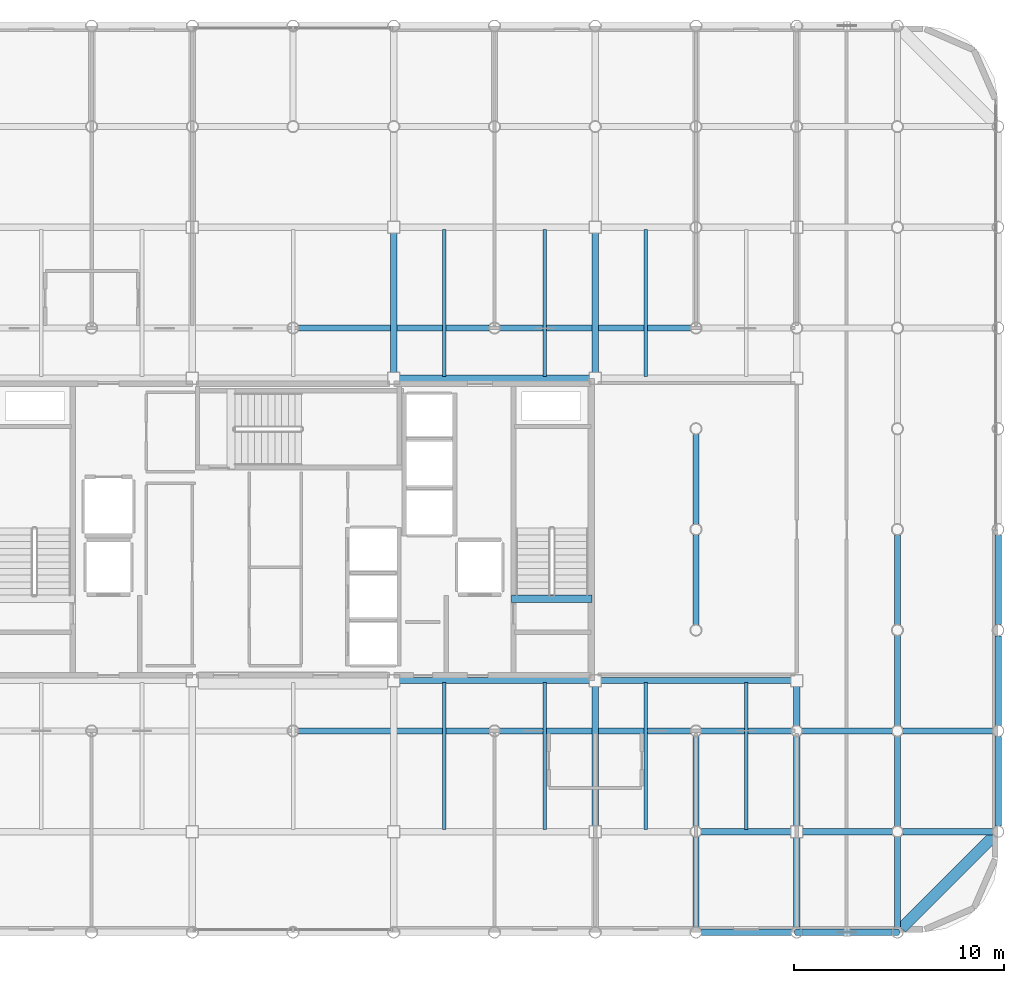
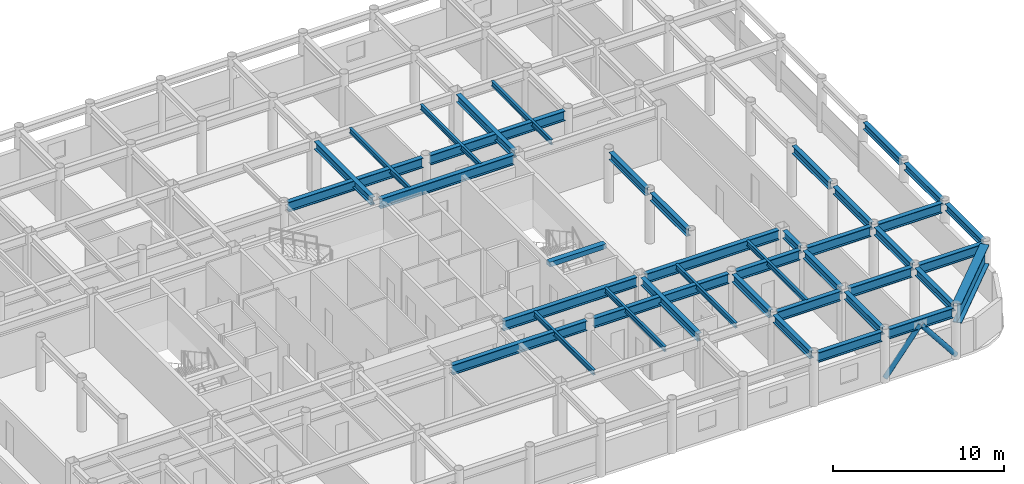
# One storey, part 9 of 22: 41 beams, 2 members.
"""IFC4 building model written with IfcOpenShell, lengths in metres."""

from ifc_helpers import new_model, si_unit, direction, frame, origin, origin_2d, place, context, subcontext, project, spatial, rectangle, hollow_circle, i_section, extrude, material, material_profile, profile_set, type_object, element, save


model = new_model("IFC4")

# Units and contexts
model_context = context("Model", 3, precision=1e-05, world=origin(), true_north=direction((0.0, 1.0)))
body_context = subcontext(model_context, "Body", "Model", "MODEL_VIEW")
ifc_project = project(units=[si_unit("LENGTHUNIT", "METRE"), si_unit("AREAUNIT", "SQUARE_METRE"), si_unit("VOLUMEUNIT", "CUBIC_METRE"), si_unit("PLANEANGLEUNIT", "RADIAN"), si_unit("MASSUNIT", "GRAM", prefix="KILO")], contexts=[model_context])

# Site, building, storey
site_placement = place(None, origin())
site = spatial("IfcSite", under=ifc_project, at=site_placement, CompositionType="ELEMENT")
building_placement = place(site_placement, origin())
building = spatial("IfcBuilding", under=site, at=building_placement, Name="Kallvorn Hotel Tower", CompositionType="ELEMENT")
storey_placement = place(building_placement, frame((0.0, 0.0, 226.14990234375)))
storey = spatial("IfcBuildingStorey", under=building, at=storey_placement, Name="L56", CompositionType="ELEMENT", Elevation=226.14990234375)

# Beams
ifc_material_1 = material(Name="Structural steel S355JR", Category="steel")
ifc_material_profile_1 = material_profile(ifc_material_1, i_section(OverallWidth=0.300048828125, OverallDepth=0.5, WebThickness=0.014404296875, FlangeThickness=0.028076171875, at=origin_2d()), Name="HE 500 B")
ifc_profile_set_1 = profile_set([ifc_material_profile_1], Name="Structural steel S355JR")
beam_type_1 = type_object("IfcBeamType", Name="BM_HE500B", PredefinedType="SPANDREL", material=ifc_profile_set_1)
beam_1_placement = place(storey_placement, frame((33.60009765625, -14.130615234375, 3.420166015625), z_axis=(0.0, 1.0, 0.0), x_axis=(-1.0, 0.0, 0.0)))
element("IfcBeam", 1, at=beam_1_placement, inside=storey, type_object=beam_type_1, Name="L57 Perimeter Spandrel 182", PredefinedType="SPANDREL", context=body_context, shape_type="SweptSolid", body=[
    extrude(i_section(OverallWidth=0.300048828125, OverallDepth=0.5, WebThickness=0.014404296875, FlangeThickness=0.028076171875, at=origin_2d()), origin(), (0.0, 0.0, 1.0), 4.26123046875),
])
for number, where, z_axis, x_axis, name in (
    (2, (33.60009765625, -9.33056640625, 3.420166015625), (0.0, 1.0, 0.0), (-1.0, 0.0, 0.0), "L57 Perimeter Spandrel 183"),
    (3, (33.60009765625, -4.530517578125, 3.420166015625), (0.0, 1.0, 0.0), (-1.0, 0.0, 0.0), "L57 Perimeter Spandrel 184"),
):
    element("IfcBeam", number, at=place(storey_placement, frame(where, z_axis=z_axis, x_axis=x_axis)), inside=storey, type_object=beam_type_1, Name=name, PredefinedType="SPANDREL", context=body_context, shape_type="SweptSolid", body=[
        extrude(i_section(OverallWidth=0.300048828125, OverallDepth=0.5, WebThickness=0.014404296875, FlangeThickness=0.028076171875, at=origin_2d()), origin(), (0.0, 0.0, 1.0), 4.260986328125),
    ])
ifc_material_2 = material(Name="Structural steel S355JR", Category="steel")
ifc_material_profile_2 = material_profile(ifc_material_2, i_section(OverallWidth=0.300048828125, OverallDepth=0.550048828125, WebThickness=0.014892578125, FlangeThickness=0.029052734375, at=origin_2d()), Name="HE 550 B")
ifc_profile_set_2 = profile_set([ifc_material_profile_2], Name="Structural steel S355JR")
beam_type_2 = type_object("IfcBeamType", Name="BM_HE550B", PredefinedType="SPANDREL", material=ifc_profile_set_2)
for number, where, z_axis, x_axis, name in (
    (4, (4.800048828125, 7.47509765625, 3.39501953125), (0.0, 1.0, 0.0), (-1.0, 0.0, 0.0), "L57 Primary Y-Girder 115"),
    (5, (14.39990234375, -14.125, 3.39501953125), (0.0, 1.0, 0.0), (-1.0, 0.0, 0.0), "L57 Primary Y-Girder 122"),
    (6, (14.39990234375, 7.47509765625, 3.39501953125), (0.0, 1.0, 0.0), (-1.0, 0.0, 0.0), "L57 Primary Y-Girder 123"),
):
    element("IfcBeam", number, at=place(storey_placement, frame(where, z_axis=z_axis, x_axis=x_axis)), inside=storey, type_object=beam_type_2, Name=name, PredefinedType="SPANDREL", context=body_context, shape_type="SweptSolid", body=[
        extrude(i_section(OverallWidth=0.300048828125, OverallDepth=0.550048828125, WebThickness=0.014892578125, FlangeThickness=0.029052734375, at=origin_2d()), origin(), (0.0, 0.0, 1.0), 6.64990234375),
    ])
for number, where, z_axis, x_axis, name in (
    (7, (19.199951171875, -18.945556640625, 3.39501953125), (0.0, 1.0, 0.0), (-1.0, 0.0, 0.0), "L57 Primary Y-Girder 126"),
    (8, (19.199951171875, -14.1455078125, 3.39501953125), (0.0, 1.0, 0.0), (-1.0, 0.0, 0.0), "L57 Primary Y-Girder 127"),
    (9, (19.199951171875, -4.54541015625, 3.39501953125), (0.0, 1.0, 0.0), (-1.0, 0.0, 0.0), "L57 Primary Y-Girder 129"),
    (10, (19.199951171875, 0.25439453125, 3.39501953125), (0.0, 1.0, 0.0), (-1.0, 0.0, 0.0), "L57 Primary Y-Girder 130"),
):
    element("IfcBeam", number, at=place(storey_placement, frame(where, z_axis=z_axis, x_axis=x_axis)), inside=storey, type_object=beam_type_2, Name=name, PredefinedType="SPANDREL", context=body_context, shape_type="SweptSolid", body=[
        extrude(i_section(OverallWidth=0.300048828125, OverallDepth=0.550048828125, WebThickness=0.014892578125, FlangeThickness=0.029052734375, at=origin_2d()), origin(), (0.0, 0.0, 1.0), 4.291015625),
    ])
for number, where, z_axis, x_axis, name in (
    (11, (24.0, -18.945556640625, 3.39501953125), (0.0, 1.0, 0.0), (-1.0, 0.0, 0.0), "L57 Primary Y-Girder 135"),
    (12, (24.0, -14.125, 3.39501953125), (0.0, 1.0, 0.0), (-1.0, 0.0, 0.0), "L57 Primary Y-Girder 136"),
):
    element("IfcBeam", number, at=place(storey_placement, frame(where, z_axis=z_axis, x_axis=x_axis)), inside=storey, type_object=beam_type_2, Name=name, PredefinedType="SPANDREL", context=body_context, shape_type="SweptSolid", body=[
        extrude(i_section(OverallWidth=0.300048828125, OverallDepth=0.550048828125, WebThickness=0.014892578125, FlangeThickness=0.029052734375, at=origin_2d()), origin(), (0.0, 0.0, 1.0), 4.2705078125),
    ])
beam_2_placement = place(storey_placement, frame((24.0, -9.345458984375, 3.39501953125), z_axis=(0.0, 1.0, 0.0), x_axis=(-1.0, 0.0, 0.0)))
element("IfcBeam", 13, at=beam_2_placement, inside=storey, type_object=beam_type_2, Name="L57 Primary Y-Girder 137", PredefinedType="SPANDREL", context=body_context, shape_type="SweptSolid", body=[
    extrude(i_section(OverallWidth=0.300048828125, OverallDepth=0.550048828125, WebThickness=0.014892578125, FlangeThickness=0.029052734375, at=origin_2d()), origin(), (0.0, 0.0, 1.0), 1.870361328125),
])
for number, where, z_axis, x_axis, name in (
    (14, (28.800048828125, -18.945556640625, 3.39501953125), (0.0, 1.0, 0.0), (-1.0, 0.0, 0.0), "L57 Primary Y-Girder 142"),
    (15, (28.800048828125, -14.1455078125, 3.39501953125), (0.0, 1.0, 0.0), (-1.0, 0.0, 0.0), "L57 Primary Y-Girder 143"),
    (16, (28.800048828125, -9.345458984375, 3.39501953125), (0.0, 1.0, 0.0), (-1.0, 0.0, 0.0), "L57 Primary Y-Girder 144"),
    (17, (28.800048828125, -4.54541015625, 3.39501953125), (0.0, 1.0, 0.0), (-1.0, 0.0, 0.0), "L57 Primary Y-Girder 145"),
):
    element("IfcBeam", number, at=place(storey_placement, frame(where, z_axis=z_axis, x_axis=x_axis)), inside=storey, type_object=beam_type_2, Name=name, PredefinedType="SPANDREL", context=body_context, shape_type="SweptSolid", body=[
        extrude(i_section(OverallWidth=0.300048828125, OverallDepth=0.550048828125, WebThickness=0.014892578125, FlangeThickness=0.029052734375, at=origin_2d()), origin(), (0.0, 0.0, 1.0), 4.291015625),
    ])
ifc_material_3 = material(Name="Structural steel S355JR", Category="steel")
ifc_material_profile_3 = material_profile(ifc_material_3, i_section(OverallWidth=0.300048828125, OverallDepth=0.699951171875, WebThickness=0.01708984375, FlangeThickness=0.031982421875, at=origin_2d()), Name="HE 700 B")
ifc_profile_set_3 = profile_set([ifc_material_profile_3], Name="Structural steel S355JR")
beam_type_3 = type_object("IfcBeamType", Name="BM_HE700B", PredefinedType="BEAM", material=ifc_profile_set_3)
for number, where, z_axis, x_axis, name in (
    (18, (19.45458984375, -19.199951171875, 3.320068359375), (1.0, 0.0, 0.0), (0.0, 1.0, 0.0), "L57 Primary X-Girder 11"),
    (19, (24.25439453125, -19.199951171875, 3.320068359375), (1.0, 0.0, 0.0), (0.0, 1.0, 0.0), "L57 Primary X-Girder 12"),
):
    element("IfcBeam", number, at=place(storey_placement, frame(where, z_axis=z_axis, x_axis=x_axis)), inside=storey, type_object=beam_type_3, Name=name, PredefinedType="BEAM", context=body_context, shape_type="SweptSolid", body=[
        extrude(i_section(OverallWidth=0.300048828125, OverallDepth=0.699951171875, WebThickness=0.01708984375, FlangeThickness=0.031982421875, at=origin_2d()), origin(), (0.0, 0.0, 1.0), 4.291015625),
    ])
for number, where, z_axis, x_axis, name in (
    (20, (19.45458984375, -14.39990234375, 3.320068359375), (1.0, 0.0, 0.0), (0.0, 1.0, 0.0), "L57 Primary X-Girder 20"),
    (21, (24.27490234375, -14.39990234375, 3.320068359375), (1.0, 0.0, 0.0), (0.0, 1.0, 0.0), "L57 Primary X-Girder 21"),
):
    element("IfcBeam", number, at=place(storey_placement, frame(where, z_axis=z_axis, x_axis=x_axis)), inside=storey, type_object=beam_type_3, Name=name, PredefinedType="BEAM", context=body_context, shape_type="SweptSolid", body=[
        extrude(i_section(OverallWidth=0.300048828125, OverallDepth=0.699951171875, WebThickness=0.01708984375, FlangeThickness=0.031982421875, at=origin_2d()), origin(), (0.0, 0.0, 1.0), 4.2705078125),
    ])
beam_3_placement = place(storey_placement, frame((29.054443359375, -14.39990234375, 3.320068359375), z_axis=(1.0, 0.0, 0.0), x_axis=(0.0, 1.0, 0.0)))
element("IfcBeam", 22, at=beam_3_placement, inside=storey, type_object=beam_type_3, Name="L57 Primary X-Girder 22", PredefinedType="BEAM", context=body_context, shape_type="SweptSolid", body=[
    extrude(i_section(OverallWidth=0.300048828125, OverallDepth=0.699951171875, WebThickness=0.01708984375, FlangeThickness=0.031982421875, at=origin_2d()), origin(), (0.0, 0.0, 1.0), 4.291015625),
])
for number, where, z_axis, x_axis, name in (
    (23, (0.25439453125, -9.60009765625, 3.320068359375), (1.0, 0.0, 0.0), (0.0, 1.0, 0.0), "L57 Primary X-Girder 27"),
    (24, (9.8544921875, -9.60009765625, 3.320068359375), (1.0, 0.0, 0.0), (0.0, 1.0, 0.0), "L57 Primary X-Girder 28"),
):
    element("IfcBeam", number, at=place(storey_placement, frame(where, z_axis=z_axis, x_axis=x_axis)), inside=storey, type_object=beam_type_3, Name=name, PredefinedType="BEAM", context=body_context, shape_type="SweptSolid", body=[
        extrude(i_section(OverallWidth=0.300048828125, OverallDepth=0.699951171875, WebThickness=0.01708984375, FlangeThickness=0.031982421875, at=origin_2d()), origin(), (0.0, 0.0, 1.0), 9.091064453125),
    ])
for number, where, z_axis, x_axis, name in (
    (25, (19.45458984375, -9.60009765625, 3.320068359375), (1.0, 0.0, 0.0), (0.0, 1.0, 0.0), "L57 Primary X-Girder 29"),
    (26, (24.25439453125, -9.60009765625, 3.320068359375), (1.0, 0.0, 0.0), (0.0, 1.0, 0.0), "L57 Primary X-Girder 30"),
    (27, (29.054443359375, -9.60009765625, 3.320068359375), (1.0, 0.0, 0.0), (0.0, 1.0, 0.0), "L57 Primary X-Girder 31"),
):
    element("IfcBeam", number, at=place(storey_placement, frame(where, z_axis=z_axis, x_axis=x_axis)), inside=storey, type_object=beam_type_3, Name=name, PredefinedType="BEAM", context=body_context, shape_type="SweptSolid", body=[
        extrude(i_section(OverallWidth=0.300048828125, OverallDepth=0.699951171875, WebThickness=0.01708984375, FlangeThickness=0.031982421875, at=origin_2d()), origin(), (0.0, 0.0, 1.0), 4.291015625),
    ])
for number, where, z_axis, x_axis, name in (
    (28, (5.074951171875, -7.199951171875, 3.320068359375), (1.0, 0.0, 0.0), (0.0, 1.0, 0.0), "L57 Primary X-Girder 34"),
    (29, (14.675048828125, -7.199951171875, 3.320068359375), (1.0, 0.0, 0.0), (0.0, 1.0, 0.0), "L57 Primary X-Girder 35"),
    (30, (5.074951171875, 7.199951171875, 3.320068359375), (1.0, 0.0, 0.0), (0.0, 1.0, 0.0), "L57 Primary X-Girder 39"),
):
    element("IfcBeam", number, at=place(storey_placement, frame(where, z_axis=z_axis, x_axis=x_axis)), inside=storey, type_object=beam_type_3, Name=name, PredefinedType="BEAM", context=body_context, shape_type="SweptSolid", body=[
        extrude(i_section(OverallWidth=0.300048828125, OverallDepth=0.699951171875, WebThickness=0.01708984375, FlangeThickness=0.031982421875, at=origin_2d()), origin(), (0.0, 0.0, 1.0), 9.050048828125),
    ])
for number, where, z_axis, x_axis, name in (
    (31, (0.25439453125, 9.60009765625, 3.320068359375), (1.0, 0.0, 0.0), (0.0, 1.0, 0.0), "L57 Primary X-Girder 45"),
    (32, (9.8544921875, 9.60009765625, 3.320068359375), (1.0, 0.0, 0.0), (0.0, 1.0, 0.0), "L57 Primary X-Girder 46"),
):
    element("IfcBeam", number, at=place(storey_placement, frame(where, z_axis=z_axis, x_axis=x_axis)), inside=storey, type_object=beam_type_3, Name=name, PredefinedType="BEAM", context=body_context, shape_type="SweptSolid", body=[
        extrude(i_section(OverallWidth=0.300048828125, OverallDepth=0.699951171875, WebThickness=0.01708984375, FlangeThickness=0.031982421875, at=origin_2d()), origin(), (0.0, 0.0, 1.0), 9.091064453125),
    ])
ifc_material_4 = material(Name="Structural steel S355JR", Category="steel")
ifc_material_profile_4 = material_profile(ifc_material_4, i_section(OverallWidth=0.169921875, OverallDepth=0.360107421875, WebThickness=0.008056640625, FlangeThickness=0.0126953125, at=origin_2d()), Name="IPE 360")
ifc_profile_set_4 = profile_set([ifc_material_profile_4], Name="Structural steel S355JR")
beam_type_4 = type_object("IfcBeamType", Name="BM_IPE360", PredefinedType="JOIST", material=ifc_profile_set_4)
for number, where, z_axis, x_axis, name in (
    (33, (7.199951171875, -14.300048828125, 3.489990234375), (0.0, 1.0, 0.0), (-1.0, 0.0, 0.0), "L57 Secondary Composite Joist 202"),
    (34, (7.199951171875, 7.300048828125, 3.489990234375), (0.0, 1.0, 0.0), (-1.0, 0.0, 0.0), "L57 Secondary Composite Joist 203"),
    (35, (12.0, -14.300048828125, 3.489990234375), (0.0, 1.0, 0.0), (-1.0, 0.0, 0.0), "L57 Secondary Composite Joist 204"),
    (36, (12.0, 7.300048828125, 3.489990234375), (0.0, 1.0, 0.0), (-1.0, 0.0, 0.0), "L57 Secondary Composite Joist 205"),
    (37, (16.800048828125, -14.300048828125, 3.489990234375), (0.0, 1.0, 0.0), (-1.0, 0.0, 0.0), "L57 Secondary Composite Joist 206"),
    (38, (16.800048828125, 7.300048828125, 3.489990234375), (0.0, 1.0, 0.0), (-1.0, 0.0, 0.0), "L57 Secondary Composite Joist 207"),
    (39, (21.60009765625, -14.300048828125, 3.489990234375), (0.0, 1.0, 0.0), (-1.0, 0.0, 0.0), "L57 Secondary Composite Joist 208"),
):
    element("IfcBeam", number, at=place(storey_placement, frame(where, z_axis=z_axis, x_axis=x_axis)), inside=storey, type_object=beam_type_4, Name=name, PredefinedType="JOIST", context=body_context, shape_type="SweptSolid", body=[
        extrude(i_section(OverallWidth=0.169921875, OverallDepth=0.360107421875, WebThickness=0.008056640625, FlangeThickness=0.0126953125, at=origin_2d()), origin(), (0.0, 0.0, 1.0), 7.0),
    ])
ifc_material_5 = material(Name="Structural steel S355JR", Category="steel")
ifc_material_profile_5 = material_profile(ifc_material_5, i_section(OverallWidth=0.550048828125, OverallDepth=1.39990234375, WebThickness=0.02490234375, FlangeThickness=0.044921875, at=origin_2d()), Name="PG 1400x550x25x45")
ifc_profile_set_5 = profile_set([ifc_material_profile_5], Name="Structural steel S355JR")
beam_type_5 = type_object("IfcBeamType", Name="BM_PG_1400", PredefinedType="BEAM", material=ifc_profile_set_5)
beam_4_placement = place(storey_placement, frame((33.409423828125, -14.590576171875, 2.97021484375), z_axis=(-0.707106781187, -0.707106781187, 0.0), x_axis=(0.707106781187, -0.707106781187, 0.0)))
element("IfcBeam", 40, at=beam_4_placement, inside=storey, type_object=beam_type_5, Name="L57 Rounded Corner Tie Beam 190", PredefinedType="BEAM", context=body_context, shape_type="SweptSolid", body=[
    extrude(i_section(OverallWidth=0.550048828125, OverallDepth=1.39990234375, WebThickness=0.02490234375, FlangeThickness=0.044921875, at=origin_2d()), origin(), (0.0, 0.0, 1.0), 6.249267578125),
])
ifc_material_6 = material(Name="Concrete C50/60", Category="concrete")
ifc_material_profile_6 = material_profile(ifc_material_6, rectangle(XDim=0.360107421875, YDim=0.340087890625, at=origin_2d()), Name="RC 360x340")
ifc_profile_set_6 = profile_set([ifc_material_profile_6], Name="Concrete C50/60")
beam_type_6 = type_object("IfcBeamType", Name="BM_RC_400x360", PredefinedType="BEAM", material=ifc_profile_set_6)
beam_5_placement = place(storey_placement, frame((14.239990234375, -3.31005859375, 3.5), z_axis=(-1.0, 0.0, 0.0), x_axis=(0.0, -1.0, 0.0)))
element("IfcBeam", 41, at=beam_5_placement, inside=storey, type_object=beam_type_6, Name="L57 Stair ST2 Arrival Trimmer Beam", PredefinedType="BEAM", context=body_context, shape_type="SweptSolid", body=[
    extrude(rectangle(XDim=0.360107421875, YDim=0.340087890625, at=origin_2d()), origin(), (0.0, 0.0, 1.0), 3.820068359375),
])

# Members
ifc_material_7 = material(Name="Structural steel S355J2H", Category="steel")
ifc_material_profile_7 = material_profile(ifc_material_7, hollow_circle(Radius=0.161865234375, WallThickness=0.012451171875, at=origin_2d()), Name="CHS 323.9x12.5")
ifc_profile_set_7 = profile_set([ifc_material_profile_7], Name="Structural steel S355J2H")
member_type = type_object("IfcMemberType", Name="MBR_EXO_CHS323", PredefinedType="BRACE", material=ifc_profile_set_7)
for number, where, z_axis, x_axis, name in (
    (42, (24.012451171875, -19.199951171875, 0.19580078125), (0.620928510901, 0.0, 0.783867198159), (0.0, 1.0, 0.0), "L56 Exoskeleton K-Brace S2A"),
    (43, (28.78759765625, -19.199951171875, 0.19580078125), (-0.620928510901, 0.0, 0.783867198159), (0.0, -1.0, 0.0), "L56 Exoskeleton K-Brace S2B"),
):
    element("IfcMember", number, at=place(storey_placement, frame(where, z_axis=z_axis, x_axis=x_axis)), inside=storey, type_object=member_type, Name=name, PredefinedType="BRACE", context=body_context, shape_type="SweptSolid", body=[
        extrude(hollow_circle(Radius=0.161865234375, WallThickness=0.012451171875, at=origin_2d()), origin(), (0.0, 0.0, 1.0), 3.8251953125),
    ])

save(model, "model.ifc")
